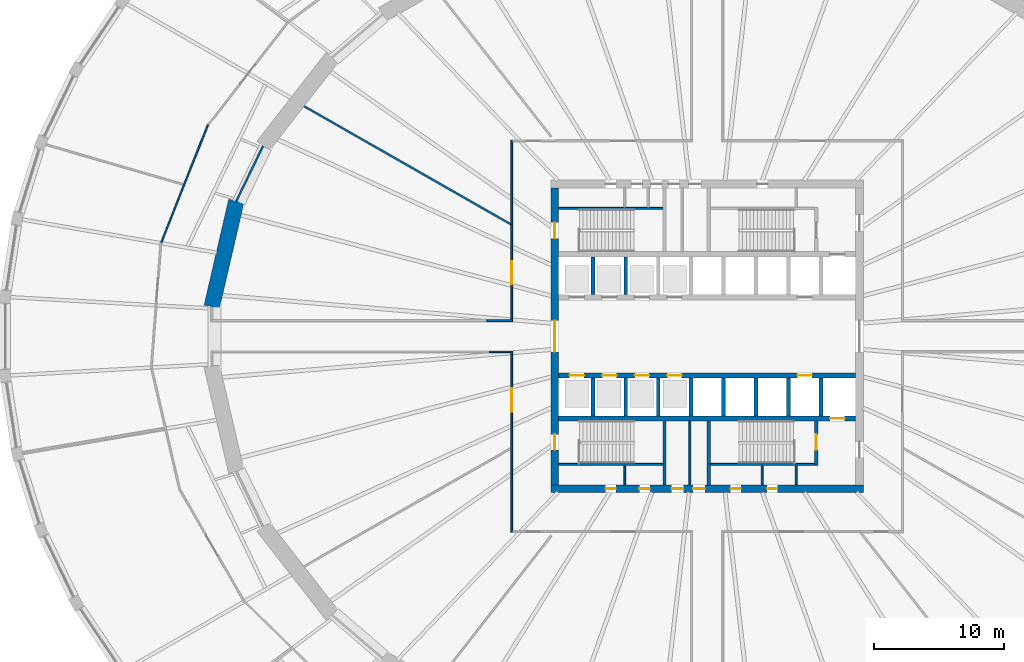
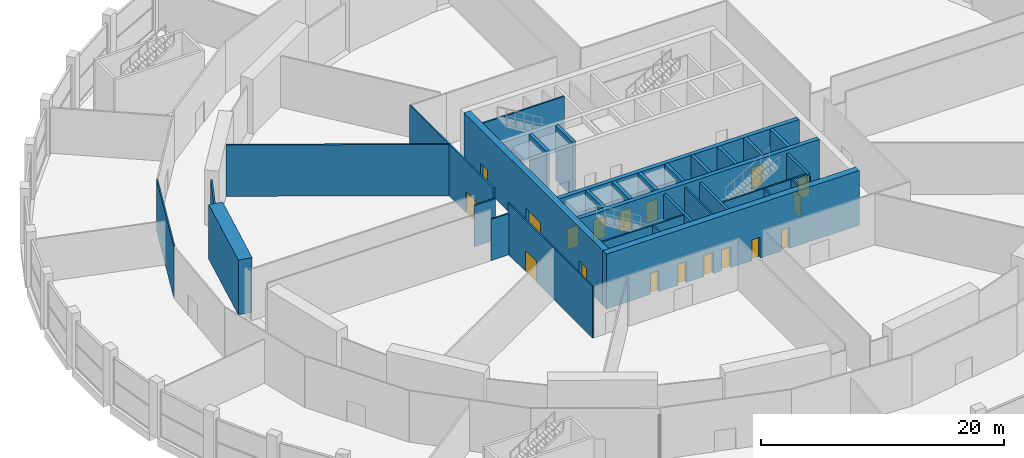
# One storey, part 22 of 29: 33 walls, 18 doors, 18 openings.
"""IFC4 building model written with IfcOpenShell, lengths in metres."""

from ifc_helpers import new_model, si_unit, direction, frame, frame_2d, origin, place, context, subcontext, project, spatial, polyline, rectangle, outline, extrude, material, layer, layer_set, type_object, element, fill, save


model = new_model("IFC4")

# Units and contexts
model_context = context("Model", 3, precision=1e-05, world=origin(), true_north=direction((0.0, 1.0)))
body_context = subcontext(model_context, "Body", "Model", "MODEL_VIEW")
ifc_project = project(units=[si_unit("LENGTHUNIT", "METRE"), si_unit("AREAUNIT", "SQUARE_METRE"), si_unit("VOLUMEUNIT", "CUBIC_METRE"), si_unit("PLANEANGLEUNIT", "RADIAN"), si_unit("MASSUNIT", "GRAM", prefix="KILO")], contexts=[model_context])

# Site, building, storey
site_placement = place(None, origin())
site = spatial("IfcSite", under=ifc_project, at=site_placement, CompositionType="ELEMENT")
building_placement = place(site_placement, origin())
building = spatial("IfcBuilding", under=site, at=building_placement, Name="Halqa Exchange Tower", CompositionType="ELEMENT")
storey_placement = place(building_placement, frame((0.0, 0.0, 7.0)))
storey = spatial("IfcBuildingStorey", under=building, at=storey_placement, Name="L01", CompositionType="ELEMENT", Elevation=7.0)

# Wall
ifc_material_1 = material(Name="Fire-rated gypsum board")
ifc_layer_1 = layer(ifc_material_1, 0.14990234375)
ifc_layer_set_1 = layer_set([ifc_layer_1], Name="Fire-rated gypsum board")
wall_type_1 = type_object("IfcWallType", Name="Fire partition EI 60 150", PredefinedType="PARTITIONING", material=ifc_layer_set_1)
wall_1_placement = place(storey_placement, frame((-34.09716796875, 14.605712890625, 0.0), z_axis=(0.0, 0.0, 1.0), x_axis=(-0.436936398764, -0.899492403212, 0.0)))
element("IfcWall", 1, at=wall_1_placement, inside=storey, type_object=wall_type_1, Name="L01-PWL-015", PredefinedType="PARTITIONING", context=body_context, shape_type="SweptSolid", body=[
    extrude(outline(polyline([(-0.015869140625, -0.074951171875), (4.715087890625, -0.074951171875), (4.680908203125, 0.074951171875), (0.015869140625, 0.074951171875), (-0.015869140625, -0.074951171875)])), origin(), (0.0, 0.0, 1.0), 4.60009765625),
])

# Wall, opening, door
wall_2_placement = place(storey_placement, frame((-15.0, 1.27490234375, 0.0), z_axis=(0.0, 0.0, 1.0), x_axis=(0.0, 1.0, 0.0)))
wall_2 = element("IfcWall", 2, at=wall_2_placement, inside=storey, type_object=wall_type_1, Name="L01-PWL-030", PredefinedType="PARTITIONING", context=body_context, shape_type="SweptSolid", body=[
    extrude(rectangle(XDim=7.2861328125, YDim=0.14990234375, at=frame_2d((3.64306640625, 0.0))), origin(), (0.0, 0.0, 1.0), 5.14990234375),
])
opening_1_placement = place(wall_2_placement, frame((2.707275390625, 0.0, 0.0)))
opening_1 = element("IfcOpeningElement", 3, at=opening_1_placement, cuts=wall_2, Name="Opening L01-07", PredefinedType="OPENING", context=body_context, shape_type="SweptSolid", body=[
    extrude(rectangle(XDim=1.800048828125, YDim=2.10009765625, at=frame_2d((0.89990234375, 1.050048828125))), frame((0.0, 0.0869140625, 0.0), z_axis=(0.0, -1.0, 0.0), x_axis=(1.0, 0.0, 0.0)), (0.0, 0.0, 1.0), 0.173828125),
])
ifc_material_2 = material(Name="Steel fire door leaf", Category="steel")
door_type_1 = type_object("IfcDoorType", Name="Fire door FD30S double 1800 x 2100", OperationType="DOUBLE_DOOR_SINGLE_SWING", PredefinedType="DOOR", material=ifc_material_2)
door_1_placement = place(opening_1_placement, origin())
door_1 = element("IfcDoor", 4, at=door_1_placement, inside=storey, type_object=door_type_1, Name="L01-IDR-007", OperationType="DOUBLE_DOOR_SINGLE_SWING", OverallHeight=2.10009765625, OverallWidth=1.800048828125, PredefinedType="DOOR", context=body_context, shape_type="SweptSolid", body=[
    extrude(rectangle(XDim=1.800048828125, YDim=2.10009765625, at=frame_2d((0.89990234375, 1.050048828125))), frame((0.0, 0.02490234375, 0.0), z_axis=(0.0, -1.0, 0.0), x_axis=(1.0, 0.0, 0.0)), (0.0, 0.0, 1.0), 0.050048828125),
])
fill(opening_1, door_1)

# Walls
wall_3_placement = place(storey_placement, frame((-15.0595703125, 8.593994140625, 0.0), z_axis=(0.0, 0.0, 1.0), x_axis=(-0.868344936016, 0.495960756608, 0.0)))
element("IfcWall", 5, at=wall_3_placement, inside=storey, type_object=wall_type_1, Name="L01-PWL-031", PredefinedType="PARTITIONING", context=body_context, shape_type="SweptSolid", body=[
    extrude(outline(polyline([(0.0, -0.074951171875), (18.287353515625, -0.074951171875), (18.308837890625, 0.074951171875), (0.0, 0.074951171875), (0.0, -0.074951171875)])), origin(), (0.0, 0.0, 1.0), 5.14990234375),
])
wall_4_placement = place(storey_placement, frame((-16.91796875, 1.199951171875, 0.0), z_axis=(0.0, 0.0, 1.0), x_axis=(1.0, 0.0, 0.0)))
element("IfcWall", 6, at=wall_4_placement, inside=storey, type_object=wall_type_1, Name="L01-PWL-088", PredefinedType="PARTITIONING", context=body_context, shape_type="SweptSolid", body=[
    extrude(rectangle(XDim=1.992919921875, YDim=0.14990234375, at=frame_2d((0.99658203125, 0.0))), origin(), (0.0, 0.0, 1.0), 4.14208984375),
])
ifc_material_3 = material(Name="Fire-rated glazing", Category="glass")
ifc_layer_2 = layer(ifc_material_3, 0.1201171875)
ifc_layer_set_2 = layer_set([ifc_layer_2], Name="Fire-rated glazing")
wall_type_2 = type_object("IfcWallType", Name="Glazed fire partition EI 60 120", PredefinedType="PARTITIONING", material=ifc_layer_set_2)
wall_5_placement = place(storey_placement, frame((-41.906494140625, 7.214111328125, 0.0), z_axis=(0.0, 0.0, 1.0), x_axis=(0.368535407067, 0.929613712107, 0.0)))
element("IfcWall", 7, at=wall_5_placement, inside=storey, type_object=wall_type_2, Name="L01-PWL-003", PredefinedType="PARTITIONING", context=body_context, shape_type="SweptSolid", body=[
    extrude(rectangle(XDim=9.706298828125, YDim=0.1201171875, at=frame_2d((4.85302734375, 0.0))), origin(), (0.0, 0.0, 1.0), 5.14990234375),
])

# Wall, opening, door
wall_6_placement = place(storey_placement, frame((-15.0, -15.06005859375, 0.0), z_axis=(0.0, 0.0, 1.0), x_axis=(0.0, 1.0, 0.0)))
wall_6 = element("IfcWall", 8, at=wall_6_placement, inside=storey, type_object=wall_type_2, Name="L01-PWL-027", PredefinedType="PARTITIONING", context=body_context, shape_type="SweptSolid", body=[
    extrude(rectangle(XDim=13.920166015625, YDim=0.1201171875, at=frame_2d((6.9599609375, 0.0))), origin(), (0.0, 0.0, 1.0), 5.14990234375),
])
opening_2_placement = place(wall_6_placement, frame((9.277587890625, 0.0, 0.0)))
opening_2 = element("IfcOpeningElement", 9, at=opening_2_placement, cuts=wall_6, Name="Opening L01-08", PredefinedType="OPENING", context=body_context, shape_type="SweptSolid", body=[
    extrude(rectangle(XDim=1.800048828125, YDim=2.10009765625, at=frame_2d((0.89990234375, 1.050048828125))), frame((0.0, 0.072021484375, 0.0), z_axis=(0.0, -1.0, 0.0), x_axis=(1.0, 0.0, 0.0)), (0.0, 0.0, 1.0), 0.14404296875),
])
door_2_placement = place(opening_2_placement, origin())
door_2 = element("IfcDoor", 10, at=door_2_placement, inside=storey, type_object=door_type_1, Name="L01-IDR-008", OperationType="DOUBLE_DOOR_SINGLE_SWING", OverallHeight=2.10009765625, OverallWidth=1.800048828125, PredefinedType="DOOR", context=body_context, shape_type="SweptSolid", body=[
    extrude(rectangle(XDim=1.800048828125, YDim=2.10009765625, at=frame_2d((0.89990234375, 1.050048828125))), frame((0.0, 0.02490234375, 0.0), z_axis=(0.0, -1.0, 0.0), x_axis=(1.0, 0.0, 0.0)), (0.0, 0.0, 1.0), 0.050048828125),
])
fill(opening_2, door_2)

# Walls
wall_7_placement = place(storey_placement, frame((-15.06005859375, -1.199951171875, 0.0), z_axis=(0.0, 0.0, 1.0), x_axis=(-1.0, 0.0, 0.0)))
element("IfcWall", 11, at=wall_7_placement, inside=storey, type_object=wall_type_2, Name="L01-PWL-029", PredefinedType="PARTITIONING", context=body_context, shape_type="SweptSolid", body=[
    extrude(rectangle(XDim=1.68017578125, YDim=0.1201171875, at=frame_2d((0.840087890625, 0.0))), origin(), (0.0, 0.0, 1.0), 4.14208984375),
])
wall_8_placement = place(storey_placement, frame((-15.0, 8.56005859375, 0.0), z_axis=(0.0, 0.0, 1.0), x_axis=(0.0, 1.0, 0.0)))
element("IfcWall", 12, at=wall_8_placement, inside=storey, type_object=wall_type_2, Name="L01-PWL-032", PredefinedType="PARTITIONING", context=body_context, shape_type="SweptSolid", body=[
    extrude(rectangle(XDim=6.5, YDim=0.1201171875, at=frame_2d((3.25, 0.0))), origin(), (0.0, 0.0, 1.0), 5.14990234375),
])
ifc_material_4 = material(Name="Gypsum board")
ifc_layer_3 = layer(ifc_material_4, 0.14990234375)
ifc_layer_set_3 = layer_set([ifc_layer_3], Name="Gypsum board")
wall_type_3 = type_object("IfcWallType", Name="Penthouse riser wall 150 gypsum", PredefinedType="PARTITIONING", material=ifc_layer_set_3)
wall_9_placement = place(storey_placement, frame((-1.324951171875, -11.39990234375, 0.0), z_axis=(0.0, 0.0, 1.0), x_axis=(0.0, 1.0, 0.0)))
element("IfcWall", 13, at=wall_9_placement, inside=storey, type_object=wall_type_3, Name="Partition W1.325 S", PredefinedType="PARTITIONING", context=body_context, shape_type="SweptSolid", body=[
    extrude(rectangle(XDim=4.89990234375, YDim=0.14990234375, at=frame_2d((2.449951171875, 0.0))), origin(), (0.0, 0.0, 1.0), 5.14990234375),
])
for number, where, z_axis, x_axis, name in (
    (14, (-6.324951171875, -11.39990234375, 0.0), (0.0, 0.0, 1.0), (0.0, 1.0, 0.0), "Partition W6.325 S"),
    (15, (4.22509765625, -11.39990234375, 0.0), (0.0, 0.0, 1.0), (0.0, 1.0, 0.0), "Partition E4.225 S"),
    (16, (6.824951171875, -11.39990234375, 0.0), (0.0, 0.0, 1.0), (0.0, 1.0, 0.0), "Firefighting lobby west wall S"),
):
    element("IfcWall", number, at=place(storey_placement, frame(where, z_axis=z_axis, x_axis=x_axis)), inside=storey, type_object=wall_type_3, Name=name, PredefinedType="PARTITIONING", context=body_context, shape_type="SweptSolid", body=[
        extrude(rectangle(XDim=1.5, YDim=0.14990234375, at=frame_2d((0.75, 0.0))), origin(), (0.0, 0.0, 1.0), 5.14990234375),
    ])
ifc_material_5 = material(Name="Concrete C60/75", Category="concrete")
ifc_layer_4 = layer(ifc_material_5, 0.300048828125)
ifc_layer_set_4 = layer_set([ifc_layer_4], Name="Concrete C60/75")
wall_type_4 = type_object("IfcWallType", Name="RC core wall 300", PredefinedType="SHEAR", material=ifc_layer_set_4)
for number, where, z_axis, x_axis, name in (
    (17, (-8.75, 3.199951171875, 0.0), (0.0, 0.0, 1.0), (0.0, 1.0, 0.0), "Shaft divider N1"),
    (18, (-6.25, 3.199951171875, 0.0), (0.0, 0.0, 1.0), (0.0, 1.0, 0.0), "Shaft divider N2"),
    (19, (-8.75, -6.10009765625, 0.0), (0.0, 0.0, 1.0), (0.0, 1.0, 0.0), "Shaft divider S1"),
    (20, (-6.25, -6.10009765625, 0.0), (0.0, 0.0, 1.0), (0.0, 1.0, 0.0), "Shaft divider S2"),
    (21, (-3.75, -6.10009765625, 0.0), (0.0, 0.0, 1.0), (0.0, 1.0, 0.0), "Shaft divider S3"),
    (22, (-1.25, -6.10009765625, 0.0), (0.0, 0.0, 1.0), (0.0, 1.0, 0.0), "Shaft divider S4"),
    (23, (1.25, -6.10009765625, 0.0), (0.0, 0.0, 1.0), (0.0, 1.0, 0.0), "Shaft divider S5"),
    (24, (3.75, -6.10009765625, 0.0), (0.0, 0.0, 1.0), (0.0, 1.0, 0.0), "Shaft divider S6"),
    (25, (6.25, -6.10009765625, 0.0), (0.0, 0.0, 1.0), (0.0, 1.0, 0.0), "Shaft divider S7"),
    (26, (8.75, -6.10009765625, 0.0), (0.0, 0.0, 1.0), (0.0, 1.0, 0.0), "Shaft divider S8"),
):
    element("IfcWall", number, at=place(storey_placement, frame(where, z_axis=z_axis, x_axis=x_axis)), inside=storey, type_object=wall_type_4, Name=name, PredefinedType="SHEAR", context=body_context, shape_type="SweptSolid", body=[
        extrude(rectangle(XDim=2.900146484375, YDim=0.300048828125, at=frame_2d((1.4501953125, 0.0))), origin(), (0.0, 0.0, 1.0), 5.5),
    ])

# Wall, openings, doors
ifc_material_6 = material(Name="Concrete C80/95", Category="concrete")
ifc_layer_5 = layer(ifc_material_6, 0.39990234375)
ifc_layer_set_5 = layer_set([ifc_layer_5], Name="Concrete C80/95")
wall_type_5 = type_object("IfcWallType", Name="RC core wall 400 C80/95", PredefinedType="SHEAR", material=ifc_layer_set_5)
wall_10_placement = place(storey_placement, frame((-11.39990234375, -3.0, 0.0), z_axis=(0.0, 0.0, 1.0), x_axis=(1.0, 0.0, 0.0)))
wall_10 = element("IfcWall", 27, at=wall_10_placement, inside=storey, type_object=wall_type_5, Name="Lift row front wall S", PredefinedType="SHEAR", context=body_context, shape_type="SweptSolid", body=[
    extrude(rectangle(XDim=22.7998046875, YDim=0.39990234375, at=frame_2d((11.39990234375, 0.0))), origin(), (0.0, 0.0, 1.0), 5.5),
])
opening_3_placement = place(wall_10_placement, frame((0.85009765625, 0.0, 0.0)))
opening_3 = element("IfcOpeningElement", 28, at=opening_3_placement, cuts=wall_10, Name="Opening LD-LR5-L01", PredefinedType="OPENING", context=body_context, shape_type="SweptSolid", body=[
    extrude(rectangle(XDim=1.10009765625, YDim=2.10009765625, at=frame_2d((0.550048828125, 1.050048828125))), frame((0.0, 0.2119140625, 0.0), z_axis=(0.0, -1.0, 0.0), x_axis=(1.0, 0.0, 0.0)), (0.0, 0.0, 1.0), 0.423828125),
])
opening_4_placement = place(wall_10_placement, frame((3.35009765625, 0.0, 0.0)))
opening_4 = element("IfcOpeningElement", 29, at=opening_4_placement, cuts=wall_10, Name="Opening LD-LR6-L01", PredefinedType="OPENING", context=body_context, shape_type="SweptSolid", body=[
    extrude(rectangle(XDim=1.10009765625, YDim=2.10009765625, at=frame_2d((0.550048828125, 1.050048828125))), frame((0.0, 0.2119140625, 0.0), z_axis=(0.0, -1.0, 0.0), x_axis=(1.0, 0.0, 0.0)), (0.0, 0.0, 1.0), 0.423828125),
])
opening_5_placement = place(wall_10_placement, frame((5.85009765625, 0.0, 0.0)))
opening_5 = element("IfcOpeningElement", 30, at=opening_5_placement, cuts=wall_10, Name="Opening LD-LR7-L01", PredefinedType="OPENING", context=body_context, shape_type="SweptSolid", body=[
    extrude(rectangle(XDim=1.10009765625, YDim=2.10009765625, at=frame_2d((0.550048828125, 1.050048828125))), frame((0.0, 0.2119140625, 0.0), z_axis=(0.0, -1.0, 0.0), x_axis=(1.0, 0.0, 0.0)), (0.0, 0.0, 1.0), 0.423828125),
])
opening_6_placement = place(wall_10_placement, frame((8.35009765625, 0.0, 0.0)))
opening_6 = element("IfcOpeningElement", 31, at=opening_6_placement, cuts=wall_10, Name="Opening LD-LR8-L01", PredefinedType="OPENING", context=body_context, shape_type="SweptSolid", body=[
    extrude(rectangle(XDim=1.10009765625, YDim=2.10009765625, at=frame_2d((0.550048828125, 1.050048828125))), frame((0.0, 0.2119140625, 0.0), z_axis=(0.0, -1.0, 0.0), x_axis=(1.0, 0.0, 0.0)), (0.0, 0.0, 1.0), 0.423828125),
])
opening_7_placement = place(wall_10_placement, frame((18.35009765625, 0.0, 0.0)))
opening_7 = element("IfcOpeningElement", 32, at=opening_7_placement, cuts=wall_10, Name="Opening LD-SV2-L01", PredefinedType="OPENING", context=body_context, shape_type="SweptSolid", body=[
    extrude(rectangle(XDim=1.10009765625, YDim=2.10009765625, at=frame_2d((0.550048828125, 1.050048828125))), frame((0.0, 0.2119140625, 0.0), z_axis=(0.0, -1.0, 0.0), x_axis=(1.0, 0.0, 0.0)), (0.0, 0.0, 1.0), 0.423828125),
])
ifc_material_7 = material(Name="Stainless steel", Category="steel")
door_type_2 = type_object("IfcDoorType", Name="Lift landing door 1100 x 2100", OperationType="SLIDING_TO_LEFT", PredefinedType="DOOR", material=ifc_material_7)
door_3_placement = place(opening_3_placement, origin())
door_3 = element("IfcDoor", 33, at=door_3_placement, inside=storey, type_object=door_type_2, Name="Lift landing door LR5", OperationType="SLIDING_TO_LEFT", OverallHeight=2.10009765625, OverallWidth=1.10009765625, PredefinedType="DOOR", context=body_context, shape_type="SweptSolid", body=[
    extrude(rectangle(XDim=1.10009765625, YDim=2.10009765625, at=frame_2d((0.550048828125, 1.050048828125))), frame((0.0, 0.02490234375, 0.0), z_axis=(0.0, -1.0, 0.0), x_axis=(1.0, 0.0, 0.0)), (0.0, 0.0, 1.0), 0.050048828125),
])
fill(opening_3, door_3)
door_4_placement = place(opening_4_placement, origin())
door_4 = element("IfcDoor", 34, at=door_4_placement, inside=storey, type_object=door_type_2, Name="Lift landing door LR6", OperationType="SLIDING_TO_LEFT", OverallHeight=2.10009765625, OverallWidth=1.10009765625, PredefinedType="DOOR", context=body_context, shape_type="SweptSolid", body=[
    extrude(rectangle(XDim=1.10009765625, YDim=2.10009765625, at=frame_2d((0.550048828125, 1.050048828125))), frame((0.0, 0.02490234375, 0.0), z_axis=(0.0, -1.0, 0.0), x_axis=(1.0, 0.0, 0.0)), (0.0, 0.0, 1.0), 0.050048828125),
])
fill(opening_4, door_4)
door_5_placement = place(opening_5_placement, origin())
door_5 = element("IfcDoor", 35, at=door_5_placement, inside=storey, type_object=door_type_2, Name="Lift landing door LR7", OperationType="SLIDING_TO_LEFT", OverallHeight=2.10009765625, OverallWidth=1.10009765625, PredefinedType="DOOR", context=body_context, shape_type="SweptSolid", body=[
    extrude(rectangle(XDim=1.10009765625, YDim=2.10009765625, at=frame_2d((0.550048828125, 1.050048828125))), frame((0.0, 0.02490234375, 0.0), z_axis=(0.0, -1.0, 0.0), x_axis=(1.0, 0.0, 0.0)), (0.0, 0.0, 1.0), 0.050048828125),
])
fill(opening_5, door_5)
door_6_placement = place(opening_6_placement, origin())
door_6 = element("IfcDoor", 36, at=door_6_placement, inside=storey, type_object=door_type_2, Name="Lift landing door LR8", OperationType="SLIDING_TO_LEFT", OverallHeight=2.10009765625, OverallWidth=1.10009765625, PredefinedType="DOOR", context=body_context, shape_type="SweptSolid", body=[
    extrude(rectangle(XDim=1.10009765625, YDim=2.10009765625, at=frame_2d((0.550048828125, 1.050048828125))), frame((0.0, 0.02490234375, 0.0), z_axis=(0.0, -1.0, 0.0), x_axis=(1.0, 0.0, 0.0)), (0.0, 0.0, 1.0), 0.050048828125),
])
fill(opening_6, door_6)
door_7_placement = place(opening_7_placement, origin())
door_7 = element("IfcDoor", 37, at=door_7_placement, inside=storey, type_object=door_type_2, Name="Lift landing door SV2", OperationType="SLIDING_TO_LEFT", OverallHeight=2.10009765625, OverallWidth=1.10009765625, PredefinedType="DOOR", context=body_context, shape_type="SweptSolid", body=[
    extrude(rectangle(XDim=1.10009765625, YDim=2.10009765625, at=frame_2d((0.550048828125, 1.050048828125))), frame((0.0, 0.02490234375, 0.0), z_axis=(0.0, -1.0, 0.0), x_axis=(1.0, 0.0, 0.0)), (0.0, 0.0, 1.0), 0.050048828125),
])
fill(opening_7, door_7)

# Wall, opening, door
wall_11_placement = place(storey_placement, frame((-11.39990234375, -6.300048828125, 0.0), z_axis=(0.0, 0.0, 1.0), x_axis=(1.0, 0.0, 0.0)))
wall_11 = element("IfcWall", 38, at=wall_11_placement, inside=storey, type_object=wall_type_5, Name="Lift row back wall S", PredefinedType="SHEAR", context=body_context, shape_type="SweptSolid", body=[
    extrude(rectangle(XDim=22.7998046875, YDim=0.39990234375, at=frame_2d((11.39990234375, 0.0))), origin(), (0.0, 0.0, 1.0), 5.5),
])
opening_8_placement = place(wall_11_placement, frame((20.85009765625, 0.0, 0.0)))
opening_8 = element("IfcOpeningElement", 39, at=opening_8_placement, cuts=wall_11, Name="Opening LD-FF2-L01", PredefinedType="OPENING", context=body_context, shape_type="SweptSolid", body=[
    extrude(rectangle(XDim=1.10009765625, YDim=2.10009765625, at=frame_2d((0.550048828125, 1.050048828125))), frame((0.0, 0.2119140625, 0.0), z_axis=(0.0, -1.0, 0.0), x_axis=(1.0, 0.0, 0.0)), (0.0, 0.0, 1.0), 0.423828125),
])
door_8_placement = place(opening_8_placement, origin())
door_8 = element("IfcDoor", 40, at=door_8_placement, inside=storey, type_object=door_type_2, Name="Lift landing door FF2", OperationType="SLIDING_TO_LEFT", OverallHeight=2.10009765625, OverallWidth=1.10009765625, PredefinedType="DOOR", context=body_context, shape_type="SweptSolid", body=[
    extrude(rectangle(XDim=1.10009765625, YDim=2.10009765625, at=frame_2d((0.550048828125, 1.050048828125))), frame((0.0, 0.02490234375, 0.0), z_axis=(0.0, -1.0, 0.0), x_axis=(1.0, 0.0, 0.0)), (0.0, 0.0, 1.0), 0.050048828125),
])
fill(opening_8, door_8)

# Wall, openings, doors
ifc_layer_6 = layer(ifc_material_6, 0.60009765625)
ifc_layer_set_6 = layer_set([ifc_layer_6], Name="Concrete C80/95")
wall_type_6 = type_object("IfcWallType", Name="RC core wall 600 C80/95", PredefinedType="SHEAR", material=ifc_layer_set_6)
wall_12_placement = place(storey_placement, frame((-12.0, -11.699951171875, 0.0), z_axis=(0.0, 0.0, 1.0), x_axis=(1.0, 0.0, 0.0)))
wall_12 = element("IfcWall", 41, at=wall_12_placement, inside=storey, type_object=wall_type_6, Name="Core wall south", PredefinedType="SHEAR", context=body_context, shape_type="SweptSolid", body=[
    extrude(rectangle(XDim=24.0, YDim=0.60009765625, at=frame_2d((12.0, 0.0))), origin(), (0.0, 0.0, 1.0), 5.5),
])
opening_9_placement = place(wall_12_placement, frame((9.27490234375, 0.0, 0.0)))
opening_9 = element("IfcOpeningElement", 42, at=opening_9_placement, cuts=wall_12, Name="Opening L01-C31", PredefinedType="OPENING", context=body_context, shape_type="SweptSolid", body=[
    extrude(rectangle(XDim=0.89990234375, YDim=2.10009765625, at=frame_2d((0.449951171875, 1.050048828125))), frame((0.0, 0.31201171875, 0.0), z_axis=(0.0, -1.0, 0.0), x_axis=(1.0, 0.0, 0.0)), (0.0, 0.0, 1.0), 0.6240234375),
])
opening_10_placement = place(wall_12_placement, frame((10.925048828125, 0.0, 0.0)))
opening_10 = element("IfcOpeningElement", 43, at=opening_10_placement, cuts=wall_12, Name="Opening L01-C32", PredefinedType="OPENING", context=body_context, shape_type="SweptSolid", body=[
    extrude(rectangle(XDim=0.89990234375, YDim=2.10009765625, at=frame_2d((0.449951171875, 1.050048828125))), frame((0.0, 0.31201171875, 0.0), z_axis=(0.0, -1.0, 0.0), x_axis=(1.0, 0.0, 0.0)), (0.0, 0.0, 1.0), 0.6240234375),
])
opening_11_placement = place(wall_12_placement, frame((4.199951171875, 0.0, 0.0)))
opening_11 = element("IfcOpeningElement", 44, at=opening_11_placement, cuts=wall_12, Name="Opening L01-C33", PredefinedType="OPENING", context=body_context, shape_type="SweptSolid", body=[
    extrude(rectangle(XDim=0.800048828125, YDim=2.10009765625, at=frame_2d((0.39990234375, 1.050048828125))), frame((0.0, 0.31201171875, 0.0), z_axis=(0.0, -1.0, 0.0), x_axis=(1.0, 0.0, 0.0)), (0.0, 0.0, 1.0), 0.6240234375),
])
opening_12_placement = place(wall_12_placement, frame((6.800048828125, 0.0, 0.0)))
opening_12 = element("IfcOpeningElement", 45, at=opening_12_placement, cuts=wall_12, Name="Opening L01-C34", PredefinedType="OPENING", context=body_context, shape_type="SweptSolid", body=[
    extrude(rectangle(XDim=0.800048828125, YDim=2.10009765625, at=frame_2d((0.39990234375, 1.050048828125))), frame((0.0, 0.31201171875, 0.0), z_axis=(0.0, -1.0, 0.0), x_axis=(1.0, 0.0, 0.0)), (0.0, 0.0, 1.0), 0.6240234375),
])
opening_13_placement = place(wall_12_placement, frame((13.800048828125, 0.0, 0.0)))
opening_13 = element("IfcOpeningElement", 46, at=opening_13_placement, cuts=wall_12, Name="Opening L01-C35", PredefinedType="OPENING", context=body_context, shape_type="SweptSolid", body=[
    extrude(rectangle(XDim=0.800048828125, YDim=2.10009765625, at=frame_2d((0.39990234375, 1.050048828125))), frame((0.0, 0.31201171875, 0.0), z_axis=(0.0, -1.0, 0.0), x_axis=(1.0, 0.0, 0.0)), (0.0, 0.0, 1.0), 0.6240234375),
])
opening_14_placement = place(wall_12_placement, frame((16.60009765625, 0.0, 0.0)))
opening_14 = element("IfcOpeningElement", 47, at=opening_14_placement, cuts=wall_12, Name="Opening L01-C36", PredefinedType="OPENING", context=body_context, shape_type="SweptSolid", body=[
    extrude(rectangle(XDim=0.800048828125, YDim=2.10009765625, at=frame_2d((0.39990234375, 1.050048828125))), frame((0.0, 0.31201171875, 0.0), z_axis=(0.0, -1.0, 0.0), x_axis=(1.0, 0.0, 0.0)), (0.0, 0.0, 1.0), 0.6240234375),
])
ifc_material_8 = material(Name="Timber fire door leaf", Category="wood")
door_type_3 = type_object("IfcDoorType", Name="Core room door FD30 900 x 2100", OperationType="SINGLE_SWING_LEFT", PredefinedType="DOOR", material=ifc_material_8)
door_9_placement = place(opening_9_placement, origin())
door_9 = element("IfcDoor", 48, at=door_9_placement, inside=storey, type_object=door_type_3, Name="Core room door", OperationType="SINGLE_SWING_RIGHT", OverallHeight=2.10009765625, OverallWidth=0.89990234375, PredefinedType="DOOR", context=body_context, shape_type="SweptSolid", body=[
    extrude(rectangle(XDim=0.89990234375, YDim=2.10009765625, at=frame_2d((0.449951171875, 1.050048828125))), frame((0.0, 0.02490234375, 0.0), z_axis=(0.0, -1.0, 0.0), x_axis=(1.0, 0.0, 0.0)), (0.0, 0.0, 1.0), 0.050048828125),
])
fill(opening_9, door_9)
door_10_placement = place(opening_10_placement, origin())
door_10 = element("IfcDoor", 49, at=door_10_placement, inside=storey, type_object=door_type_3, Name="Core room door", OperationType="SINGLE_SWING_RIGHT", OverallHeight=2.10009765625, OverallWidth=0.89990234375, PredefinedType="DOOR", context=body_context, shape_type="SweptSolid", body=[
    extrude(rectangle(XDim=0.89990234375, YDim=2.10009765625, at=frame_2d((0.449951171875, 1.050048828125))), frame((0.0, 0.02490234375, 0.0), z_axis=(0.0, -1.0, 0.0), x_axis=(1.0, 0.0, 0.0)), (0.0, 0.0, 1.0), 0.050048828125),
])
fill(opening_10, door_10)
door_type_4 = type_object("IfcDoorType", Name="Riser door FD60 800 x 2100", OperationType="SINGLE_SWING_LEFT", PredefinedType="DOOR", material=ifc_material_2)
door_11_placement = place(opening_11_placement, origin())
door_11 = element("IfcDoor", 50, at=door_11_placement, inside=storey, type_object=door_type_4, Name="Core room door", OperationType="SINGLE_SWING_LEFT", OverallHeight=2.10009765625, OverallWidth=0.800048828125, PredefinedType="DOOR", context=body_context, shape_type="SweptSolid", body=[
    extrude(rectangle(XDim=0.800048828125, YDim=2.10009765625, at=frame_2d((0.39990234375, 1.050048828125))), frame((0.0, 0.02490234375, 0.0), z_axis=(0.0, -1.0, 0.0), x_axis=(1.0, 0.0, 0.0)), (0.0, 0.0, 1.0), 0.050048828125),
])
fill(opening_11, door_11)
door_12_placement = place(opening_12_placement, origin())
door_12 = element("IfcDoor", 51, at=door_12_placement, inside=storey, type_object=door_type_4, Name="Core room door", OperationType="SINGLE_SWING_LEFT", OverallHeight=2.10009765625, OverallWidth=0.800048828125, PredefinedType="DOOR", context=body_context, shape_type="SweptSolid", body=[
    extrude(rectangle(XDim=0.800048828125, YDim=2.10009765625, at=frame_2d((0.39990234375, 1.050048828125))), frame((0.0, 0.02490234375, 0.0), z_axis=(0.0, -1.0, 0.0), x_axis=(1.0, 0.0, 0.0)), (0.0, 0.0, 1.0), 0.050048828125),
])
fill(opening_12, door_12)
door_13_placement = place(opening_13_placement, origin())
door_13 = element("IfcDoor", 52, at=door_13_placement, inside=storey, type_object=door_type_4, Name="Core room door", OperationType="SINGLE_SWING_LEFT", OverallHeight=2.10009765625, OverallWidth=0.800048828125, PredefinedType="DOOR", context=body_context, shape_type="SweptSolid", body=[
    extrude(rectangle(XDim=0.800048828125, YDim=2.10009765625, at=frame_2d((0.39990234375, 1.050048828125))), frame((0.0, 0.02490234375, 0.0), z_axis=(0.0, -1.0, 0.0), x_axis=(1.0, 0.0, 0.0)), (0.0, 0.0, 1.0), 0.050048828125),
])
fill(opening_13, door_13)
door_14_placement = place(opening_14_placement, origin())
door_14 = element("IfcDoor", 53, at=door_14_placement, inside=storey, type_object=door_type_4, Name="Core room door", OperationType="SINGLE_SWING_RIGHT", OverallHeight=2.10009765625, OverallWidth=0.800048828125, PredefinedType="DOOR", context=body_context, shape_type="SweptSolid", body=[
    extrude(rectangle(XDim=0.800048828125, YDim=2.10009765625, at=frame_2d((0.39990234375, 1.050048828125))), frame((0.0, 0.02490234375, 0.0), z_axis=(0.0, -1.0, 0.0), x_axis=(1.0, 0.0, 0.0)), (0.0, 0.0, 1.0), 0.050048828125),
])
fill(opening_14, door_14)

wall_13_placement = place(storey_placement, frame((-11.699951171875, -11.39990234375, 0.0), z_axis=(0.0, 0.0, 1.0), x_axis=(0.0, 1.0, 0.0)))
wall_13 = element("IfcWall", 54, at=wall_13_placement, inside=storey, type_object=wall_type_6, Name="Core wall west", PredefinedType="SHEAR", context=body_context, shape_type="SweptSolid", body=[
    extrude(rectangle(XDim=22.7998046875, YDim=0.60009765625, at=frame_2d((11.39990234375, 0.0))), origin(), (0.0, 0.0, 1.0), 5.5),
])
opening_15_placement = place(wall_13_placement, frame((10.199951171875, 0.0, 0.0)))
opening_15 = element("IfcOpeningElement", 55, at=opening_15_placement, cuts=wall_13, Name="Opening L01-C13", PredefinedType="OPENING", context=body_context, shape_type="SweptSolid", body=[
    extrude(rectangle(XDim=2.39990234375, YDim=2.10009765625, at=frame_2d((1.199951171875, 1.050048828125))), frame((0.0, 0.31201171875, 0.0), z_axis=(0.0, -1.0, 0.0), x_axis=(1.0, 0.0, 0.0)), (0.0, 0.0, 1.0), 0.6240234375),
])
opening_16_placement = place(wall_13_placement, frame((18.925048828125, 0.0, 0.0)))
opening_16 = element("IfcOpeningElement", 56, at=opening_16_placement, cuts=wall_13, Name="Opening L01-C19", PredefinedType="OPENING", context=body_context, shape_type="SweptSolid", body=[
    extrude(rectangle(XDim=1.199951171875, YDim=2.10009765625, at=frame_2d((0.60009765625, 1.050048828125))), frame((0.0, 0.31201171875, 0.0), z_axis=(0.0, -1.0, 0.0), x_axis=(1.0, 0.0, 0.0)), (0.0, 0.0, 1.0), 0.6240234375),
])
opening_17_placement = place(wall_13_placement, frame((2.675048828125, 0.0, 0.0)))
opening_17 = element("IfcOpeningElement", 57, at=opening_17_placement, cuts=wall_13, Name="Opening L01-C21", PredefinedType="OPENING", context=body_context, shape_type="SweptSolid", body=[
    extrude(rectangle(XDim=1.199951171875, YDim=2.10009765625, at=frame_2d((0.60009765625, 1.050048828125))), frame((0.0, 0.31201171875, 0.0), z_axis=(0.0, -1.0, 0.0), x_axis=(1.0, 0.0, 0.0)), (0.0, 0.0, 1.0), 0.6240234375),
])
door_type_5 = type_object("IfcDoorType", Name="Lobby double door FD60 2400 x 2100", OperationType="DOUBLE_DOOR_SINGLE_SWING", PredefinedType="DOOR", material=ifc_material_2)
door_15_placement = place(opening_15_placement, origin())
door_15 = element("IfcDoor", 58, at=door_15_placement, inside=storey, type_object=door_type_5, Name="Lift lobby double door", OperationType="DOUBLE_DOOR_SINGLE_SWING", OverallHeight=2.10009765625, OverallWidth=2.39990234375, PredefinedType="DOOR", context=body_context, shape_type="SweptSolid", body=[
    extrude(rectangle(XDim=2.39990234375, YDim=2.10009765625, at=frame_2d((1.199951171875, 1.050048828125))), frame((0.0, 0.02490234375, 0.0), z_axis=(0.0, -1.0, 0.0), x_axis=(1.0, 0.0, 0.0)), (0.0, 0.0, 1.0), 0.050048828125),
])
fill(opening_15, door_15)
door_type_6 = type_object("IfcDoorType", Name="Stair door FD90 1200 x 2100", OperationType="SINGLE_SWING_LEFT", PredefinedType="DOOR", material=ifc_material_2)
door_16_placement = place(opening_16_placement, frame((1.199951171875, 0.0, 0.0), z_axis=(0.0, 0.0, 1.0), x_axis=(-1.0, 0.0, 0.0)))
door_16 = element("IfcDoor", 59, at=door_16_placement, inside=storey, type_object=door_type_6, Name="Stair door ST1", OperationType="SINGLE_SWING_LEFT", OverallHeight=2.10009765625, OverallWidth=1.199951171875, PredefinedType="DOOR", context=body_context, shape_type="SweptSolid", body=[
    extrude(rectangle(XDim=1.199951171875, YDim=2.10009765625, at=frame_2d((0.60009765625, 1.050048828125))), frame((0.0, 0.02490234375, 0.0), z_axis=(0.0, -1.0, 0.0), x_axis=(1.0, 0.0, 0.0)), (0.0, 0.0, 1.0), 0.050048828125),
])
fill(opening_16, door_16)
door_17_placement = place(opening_17_placement, frame((1.199951171875, 0.0, 0.0), z_axis=(0.0, 0.0, 1.0), x_axis=(-1.0, 0.0, 0.0)))
door_17 = element("IfcDoor", 60, at=door_17_placement, inside=storey, type_object=door_type_6, Name="Stair door ST3", OperationType="SINGLE_SWING_RIGHT", OverallHeight=2.10009765625, OverallWidth=1.199951171875, PredefinedType="DOOR", context=body_context, shape_type="SweptSolid", body=[
    extrude(rectangle(XDim=1.199951171875, YDim=2.10009765625, at=frame_2d((0.60009765625, 1.050048828125))), frame((0.0, 0.02490234375, 0.0), z_axis=(0.0, -1.0, 0.0), x_axis=(1.0, 0.0, 0.0)), (0.0, 0.0, 1.0), 0.050048828125),
])
fill(opening_17, door_17)

# Walls
ifc_layer_7 = layer(ifc_material_6, 1.199951171875)
ifc_layer_set_7 = layer_set([ifc_layer_7], Name="Concrete C80/95")
wall_type_7 = type_object("IfcWallType", Name="RC ring pier 1200 C80/95", PredefinedType="SHEAR", material=ifc_layer_set_7)
wall_14_placement = place(storey_placement, frame((-36.14892578125, 10.38037109375, 0.0), z_axis=(0.0, 0.0, 1.0), x_axis=(-0.226058185805, -0.974113800657, 0.0)))
element("IfcWall", 61, at=wall_14_placement, inside=storey, type_object=wall_type_7, Name="Ring pier 8", PredefinedType="SHEAR", context=body_context, shape_type="SweptSolid", body=[
    extrude(rectangle(XDim=8.328857421875, YDim=1.199951171875, at=frame_2d((4.16455078125, 0.0))), origin(), (0.0, 0.0, 1.0), 5.5),
])
ifc_material_9 = material(Name="Concrete C30/37", Category="concrete")
ifc_layer_8 = layer(ifc_material_9, 0.14990234375)
ifc_layer_set_8 = layer_set([ifc_layer_8], Name="Concrete C30/37")
wall_type_8 = type_object("IfcWallType", Name="RC stair wall 150 C30/37", PredefinedType="SHEAR", material=ifc_layer_set_8)
for number, where, z_axis, x_axis, name in (
    (62, (-11.39990234375, 9.824951171875, 0.0), (0.0, 0.0, 1.0), (1.0, 0.0, 0.0), "Stair ST1 north wall N"),
    (63, (-11.39990234375, -9.824951171875, 0.0), (0.0, 0.0, 1.0), (1.0, 0.0, 0.0), "Stair ST1 north wall S"),
    (64, (0.25, -9.824951171875, 0.0), (0.0, 0.0, 1.0), (1.0, 0.0, 0.0), "Stair ST2 north wall S"),
):
    element("IfcWall", number, at=place(storey_placement, frame(where, z_axis=z_axis, x_axis=x_axis)), inside=storey, type_object=wall_type_8, Name=name, PredefinedType="SHEAR", context=body_context, shape_type="SweptSolid", body=[
        extrude(rectangle(XDim=8.0, YDim=0.14990234375, at=frame_2d((4.0, 0.0))), origin(), (0.0, 0.0, 1.0), 5.14990234375),
    ])
ifc_layer_9 = layer(ifc_material_9, 0.25)
ifc_layer_set_9 = layer_set([ifc_layer_9], Name="Concrete C30/37")
wall_type_9 = type_object("IfcWallType", Name="RC stair wall 250 C30/37", PredefinedType="SHEAR", material=ifc_layer_set_9)
for number, where, z_axis, x_axis, name in (
    (65, (-3.27490234375, -11.39990234375, 0.0), (0.0, 0.0, 1.0), (0.0, 1.0, 0.0), "Stair ST1 east wall S"),
    (66, (0.125, -11.39990234375, 0.0), (0.0, 0.0, 1.0), (0.0, 1.0, 0.0), "Stair ST2 west wall S"),
):
    element("IfcWall", number, at=place(storey_placement, frame(where, z_axis=z_axis, x_axis=x_axis)), inside=storey, type_object=wall_type_9, Name=name, PredefinedType="SHEAR", context=body_context, shape_type="SweptSolid", body=[
        extrude(rectangle(XDim=4.89990234375, YDim=0.25, at=frame_2d((2.449951171875, 0.0))), origin(), (0.0, 0.0, 1.0), 5.14990234375),
    ])

# Wall, opening, door
wall_15_placement = place(storey_placement, frame((8.375, -9.89990234375, 0.0), z_axis=(0.0, 0.0, 1.0), x_axis=(0.0, 1.0, 0.0)))
wall_15 = element("IfcWall", 67, at=wall_15_placement, inside=storey, type_object=wall_type_9, Name="Stair ST2 east wall S", PredefinedType="SHEAR", context=body_context, shape_type="SweptSolid", body=[
    extrude(rectangle(XDim=3.39990234375, YDim=0.25, at=frame_2d((1.699951171875, 0.0))), origin(), (0.0, 0.0, 1.0), 5.14990234375),
])
opening_18_placement = place(wall_15_placement, frame((1.175048828125, 0.0, 0.0)))
opening_18 = element("IfcOpeningElement", 68, at=opening_18_placement, cuts=wall_15, Name="Opening L01-C22", PredefinedType="OPENING", context=body_context, shape_type="SweptSolid", body=[
    extrude(rectangle(XDim=1.199951171875, YDim=2.10009765625, at=frame_2d((0.60009765625, 1.050048828125))), frame((0.0, 0.136962890625, 0.0), z_axis=(0.0, -1.0, 0.0), x_axis=(1.0, 0.0, 0.0)), (0.0, 0.0, 1.0), 0.27392578125),
])
door_18_placement = place(opening_18_placement, origin())
door_18 = element("IfcDoor", 69, at=door_18_placement, inside=storey, type_object=door_type_6, Name="Stair door ST4", OperationType="SINGLE_SWING_LEFT", OverallHeight=2.10009765625, OverallWidth=1.199951171875, PredefinedType="DOOR", context=body_context, shape_type="SweptSolid", body=[
    extrude(rectangle(XDim=1.199951171875, YDim=2.10009765625, at=frame_2d((0.60009765625, 1.050048828125))), frame((0.0, 0.02490234375, 0.0), z_axis=(0.0, -1.0, 0.0), x_axis=(1.0, 0.0, 0.0)), (0.0, 0.0, 1.0), 0.050048828125),
])
fill(opening_18, door_18)

save(model, "model.ifc")
